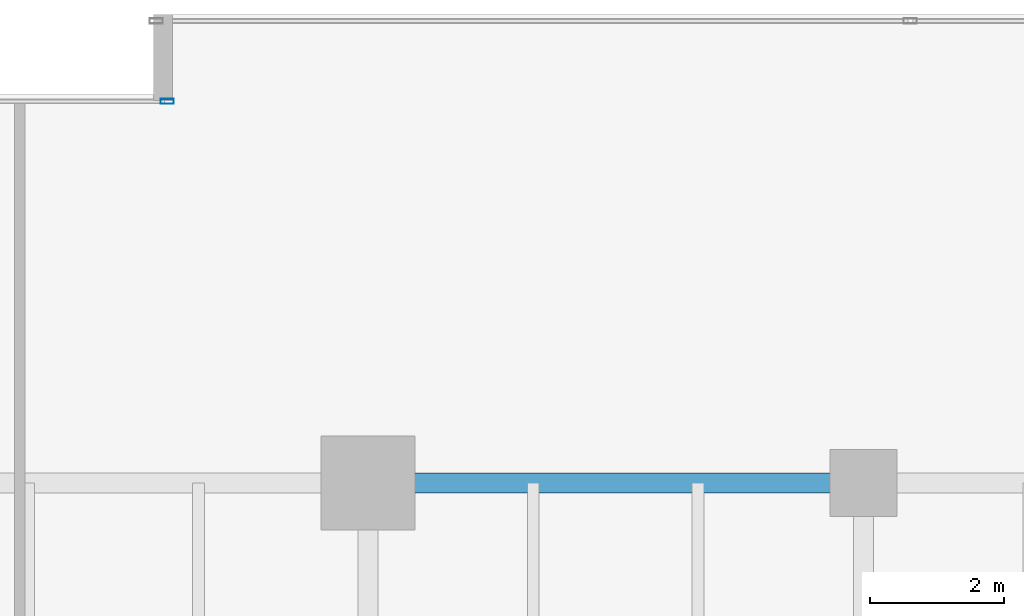
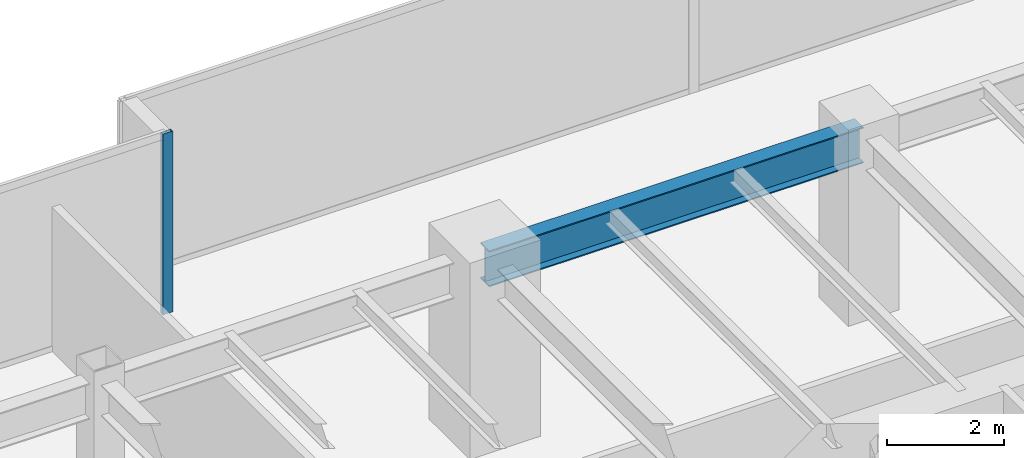
# One storey, part 20 of 35: 1 beam, 1 member, 1 element without a shape of its own.
"""IFC4 building model written with IfcOpenShell, lengths in metres."""

from ifc_helpers import new_model, si_unit, direction, frame, origin, origin_2d, place, context, subcontext, project, spatial, hollow_rectangle, i_section, extrude, source, transform, mapped, material, layer, layer_set, material_profile, profile_set, type_object, type_shapes, element, aggregate, save


model = new_model("IFC4")

# Units and contexts
model_context = context("Model", 3, precision=1e-05, world=origin(), true_north=direction((0.0, 1.0)))
body_context = subcontext(model_context, "Body", "Model", "MODEL_VIEW")
ifc_project = project(units=[si_unit("LENGTHUNIT", "METRE"), si_unit("AREAUNIT", "SQUARE_METRE"), si_unit("VOLUMEUNIT", "CUBIC_METRE"), si_unit("PLANEANGLEUNIT", "RADIAN"), si_unit("MASSUNIT", "GRAM", prefix="KILO")], contexts=[model_context])

# Site, building, storey
site_placement = place(None, origin())
site = spatial("IfcSite", under=ifc_project, at=site_placement, CompositionType="ELEMENT")
building_placement = place(site_placement, origin())
building = spatial("IfcBuilding", under=site, at=building_placement, Name="Haelvirn Gate Laboratories", CompositionType="ELEMENT")
storey_placement = place(building_placement, frame((0.0, 0.0, 82.60009765625)))
storey = spatial("IfcBuildingStorey", under=building, at=storey_placement, Name="L20", CompositionType="ELEMENT", Elevation=82.60009765625)

# Beam
ifc_material_1 = material(Name="Steel SM355", Category="steel")
ifc_material_profile_1 = material_profile(ifc_material_1, i_section(OverallWidth=0.300048828125, OverallDepth=0.75, WebThickness=0.013916015625, FlangeThickness=0.02392578125, at=origin_2d()), Name="H-750x300x14x24")
ifc_profile_set_1 = profile_set([ifc_material_profile_1], Name="Steel SM355")
beam_type = type_object("IfcBeamType", Name="BM-G-750", PredefinedType="BEAM", material=ifc_profile_set_1)
shared_shape_1 = source(origin(), body_context, "Body", "SweptSolid", [
    extrude(i_section(OverallWidth=0.300048828125, OverallDepth=0.75, WebThickness=0.013916015625, FlangeThickness=0.02392578125, at=origin_2d()), origin(), (0.0, 0.0, 1.0), 7.39990234375),
])
type_shapes(beam_type, [shared_shape_1])
beam_placement = place(storey_placement, frame((52.60009765625, 41.60009765625, 3.40478515625), z_axis=(1.0, 0.0, 0.0), x_axis=(0.0, 1.0, 0.0)))
element("IfcBeam", 1, at=beam_placement, inside=storey, type_object=beam_type, Name="L20 Primary Girder Y41.6 (52.6-60.0)", PredefinedType="BEAM", context=body_context, shape_type="MappedRepresentation", body=[
    mapped(shared_shape_1, transform((0.0, 0.0, 0.0), scale=1.0)),
])

# Curtain wall, member
ifc_material_2 = material(Name="Anodised bronze unitised aluminium & triple low-E glass", Category="aluminium")
ifc_layer = layer(ifc_material_2, 0.18408203125, Name="CW-SYS-2")
ifc_layer_set = layer_set([ifc_layer], Name="Anodised bronze unitised aluminium & triple low-E glass")
curtain_wall_type = type_object("IfcCurtainWallType", Name="CW-SYS-2", PredefinedType="NOTDEFINED", material=ifc_layer_set)
curtain_wall_placement = place(storey_placement, origin())
curtain_wall = element("IfcCurtainWall", 2, at=curtain_wall_placement, inside=storey, type_object=curtain_wall_type, Name="L20 Unitised Curtain Wall CW-L20-P0-E12-1", PredefinedType="NOTDEFINED")
ifc_material_3 = material(Name="Extruded aluminium 6063-T6 (anodised bronze)", Category="aluminium")
ifc_material_profile_2 = material_profile(ifc_material_3, hollow_rectangle(XDim=0.074951171875, YDim=0.199951171875, WallThickness=0.0048828125, at=origin_2d()), Name="CWM-200x75x5")
ifc_profile_set_2 = profile_set([ifc_material_profile_2], Name="Extruded aluminium 6063-T6 (anodised bronze)")
member_type = type_object("IfcMemberType", Name="CWM-T200", PredefinedType="MULLION", material=ifc_profile_set_2)
shared_shape_2 = source(origin(), body_context, "Body", "SweptSolid", [
    extrude(hollow_rectangle(XDim=0.074951171875, YDim=0.199951171875, WallThickness=0.0048828125, at=origin_2d()), origin(), (0.0, 0.0, 1.0), 3.77978515625),
])
type_shapes(member_type, [shared_shape_2])
member_placement = place(storey_placement, frame((49.6025390625, 47.300048828125, 0.0), z_axis=(0.0, 0.0, 1.0), x_axis=(0.0, 1.0, 0.0)))
member = element("IfcMember", 3, at=member_placement, type_object=member_type, Name="CW2 mullion 3", PredefinedType="MULLION", context=body_context, shape_type="MappedRepresentation", body=[
    mapped(shared_shape_2, transform((0.0, 0.0, 0.0), scale=1.0)),
])
aggregate(curtain_wall, [member])

save(model, "model.ifc")
